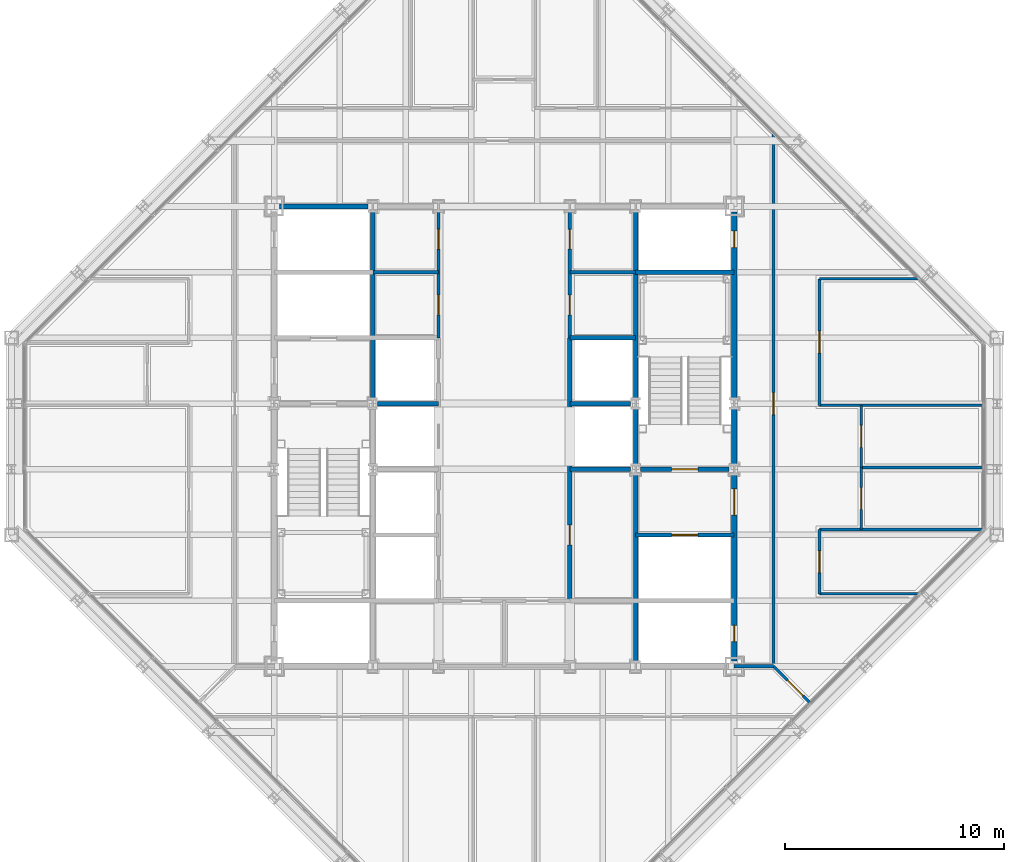
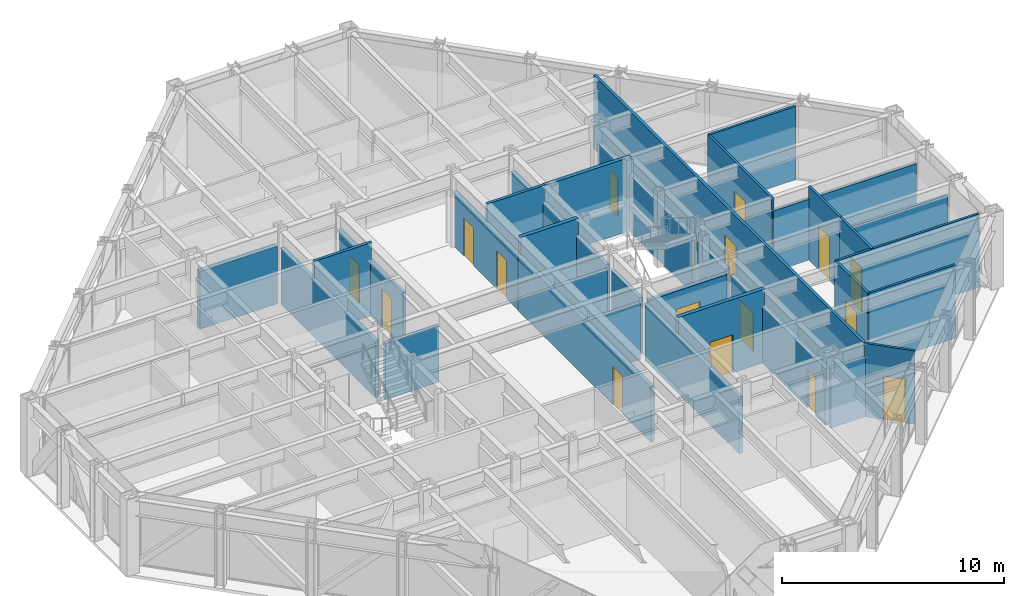
# One storey, part 11 of 15: 32 walls, 16 doors, 16 openings.
"""IFC4 building model written with IfcOpenShell, lengths in metres."""

from ifc_helpers import new_model, si_unit, direction, frame, frame_2d, origin, place, context, subcontext, project, spatial, rectangle, extrude, material, layer, layer_set, type_object, element, fill, save


model = new_model("IFC4")

# Units and contexts
model_context = context("Model", 3, precision=1e-05, world=origin(), true_north=direction((0.0, 1.0)))
body_context = subcontext(model_context, "Body", "Model", "MODEL_VIEW")
ifc_project = project(units=[si_unit("LENGTHUNIT", "METRE"), si_unit("AREAUNIT", "SQUARE_METRE"), si_unit("VOLUMEUNIT", "CUBIC_METRE"), si_unit("PLANEANGLEUNIT", "RADIAN"), si_unit("MASSUNIT", "GRAM", prefix="KILO")], contexts=[model_context])

# Site, building, storey
site_placement = place(None, origin())
site = spatial("IfcSite", under=ifc_project, at=site_placement, CompositionType="ELEMENT")
building_placement = place(site_placement, origin())
building = spatial("IfcBuilding", under=site, at=building_placement, Name="Chuquiago Exchange Tower", CompositionType="ELEMENT")
storey_placement = place(building_placement, frame((0.0, 0.0, 266.39990234375)))
storey = spatial("IfcBuildingStorey", under=building, at=storey_placement, Name="L59", CompositionType="ELEMENT", Elevation=266.39990234375)

# Wall
ifc_material_1 = material(Name="Concrete masonry, fully grouted", Category="masonry")
ifc_layer_1 = layer(ifc_material_1, 0.25)
ifc_layer_set_1 = layer_set([ifc_layer_1], Name="W1 core wall 250")
wall_type_1 = type_object("IfcWallType", Name="W1 core wall 250", PredefinedType="SOLIDWALL", material=ifc_layer_set_1)
wall_1_placement = place(storey_placement, frame((12.25, 33.0, 0.0), z_axis=(0.0, 0.0, 1.0), x_axis=(1.0, 0.0, 0.0)))
element("IfcWall", 1, at=wall_1_placement, inside=storey, type_object=wall_type_1, Name="CW-L59-11-0", PredefinedType="SOLIDWALL", context=body_context, shape_type="SweptSolid", body=[
    extrude(rectangle(XDim=4.025146484375, YDim=0.25, at=frame_2d((2.0126953125, 0.0))), origin(), (0.0, 0.0, 1.0), 3.181640625),
])

# Wall, openings, doors
wall_2_placement = place(storey_placement, frame((33.0, 12.25, 0.0), z_axis=(0.0, 0.0, 1.0), x_axis=(0.0, 1.0, 0.0)))
wall_2 = element("IfcWall", 2, at=wall_2_placement, inside=storey, type_object=wall_type_1, Name="CW-L59-25-0", PredefinedType="SOLIDWALL", context=body_context, shape_type="SweptSolid", body=[
    extrude(rectangle(XDim=8.5, YDim=0.25, at=frame_2d((4.25, 0.0))), origin(), (0.0, 0.0, 1.0), 3.113037109375),
])
opening_1_placement = place(wall_2_placement, frame((6.64990234375, 0.0, 0.0)))
opening_1 = element("IfcOpeningElement", 3, at=opening_1_placement, cuts=wall_2, Name="Opening L59-004", PredefinedType="OPENING", context=body_context, shape_type="SweptSolid", body=[
    extrude(rectangle(XDim=1.199951171875, YDim=2.10009765625, at=frame_2d((0.60009765625, 1.050048828125))), frame((0.0, 0.135009765625, 0.0), z_axis=(0.0, -1.0, 0.0), x_axis=(1.0, 0.0, 0.0)), (0.0, 0.0, 1.0), 0.27001953125),
])
opening_2_placement = place(wall_2_placement, frame((0.875, 0.0, 0.0)))
opening_2 = element("IfcOpeningElement", 4, at=opening_2_placement, cuts=wall_2, Name="Opening L59-009", PredefinedType="OPENING", context=body_context, shape_type="SweptSolid", body=[
    extrude(rectangle(XDim=0.75, YDim=2.10009765625, at=frame_2d((0.375, 1.050048828125))), frame((0.0, 0.135009765625, 0.0), z_axis=(0.0, -1.0, 0.0), x_axis=(1.0, 0.0, 0.0)), (0.0, 0.0, 1.0), 0.27001953125),
])
ifc_material_2 = material(Name="Steel door, painted", Category="steel")
door_type_1 = type_object("IfcDoorType", Name="D5 firefighting lobby door 1200x2100", OperationType="SINGLE_SWING_LEFT", PredefinedType="DOOR", material=ifc_material_2)
door_1_placement = place(opening_1_placement, origin())
door_1 = element("IfcDoor", 5, at=door_1_placement, inside=storey, type_object=door_type_1, Name="Firefighting lobby 2 door", OperationType="SINGLE_SWING_RIGHT", OverallHeight=2.10009765625, OverallWidth=1.199951171875, PredefinedType="DOOR", context=body_context, shape_type="SweptSolid", body=[
    extrude(rectangle(XDim=1.199951171875, YDim=2.10009765625, at=frame_2d((0.60009765625, 1.050048828125))), frame((0.0, 0.02490234375, 0.0), z_axis=(0.0, -1.0, 0.0), x_axis=(1.0, 0.0, 0.0)), (0.0, 0.0, 1.0), 0.050048828125),
])
fill(opening_1, door_1)
ifc_material_3 = material(Name="Steel door, painted", Category="steel")
door_type_2 = type_object("IfcDoorType", Name="D6 riser access door 750x2100", OperationType="SINGLE_SWING_LEFT", PredefinedType="DOOR", material=ifc_material_3)
door_2_placement = place(opening_2_placement, origin())
door_2 = element("IfcDoor", 6, at=door_2_placement, inside=storey, type_object=door_type_2, Name="Riser RE1 door", OperationType="SINGLE_SWING_LEFT", OverallHeight=2.10009765625, OverallWidth=0.75, PredefinedType="DOOR", context=body_context, shape_type="SweptSolid", body=[
    extrude(rectangle(XDim=0.75, YDim=2.10009765625, at=frame_2d((0.375, 1.050048828125))), frame((0.0, 0.02490234375, 0.0), z_axis=(0.0, -1.0, 0.0), x_axis=(1.0, 0.0, 0.0)), (0.0, 0.0, 1.0), 0.050048828125),
])
fill(opening_2, door_2)

# Wall
wall_3_placement = place(storey_placement, frame((33.0, 21.25, 0.0), z_axis=(0.0, 0.0, 1.0), x_axis=(0.0, 1.0, 0.0)))
element("IfcWall", 7, at=wall_3_placement, inside=storey, type_object=wall_type_1, Name="CW-L59-25-1", PredefinedType="SOLIDWALL", context=body_context, shape_type="SweptSolid", body=[
    extrude(rectangle(XDim=2.5, YDim=0.25, at=frame_2d((1.25, 0.0))), origin(), (0.0, 0.0, 1.0), 3.113037109375),
])

# Wall, opening, door
wall_4_placement = place(storey_placement, frame((33.0, 24.25, 0.0), z_axis=(0.0, 0.0, 1.0), x_axis=(0.0, 1.0, 0.0)))
wall_4 = element("IfcWall", 8, at=wall_4_placement, inside=storey, type_object=wall_type_1, Name="CW-L59-25-2", PredefinedType="SOLIDWALL", context=body_context, shape_type="SweptSolid", body=[
    extrude(rectangle(XDim=8.5, YDim=0.25, at=frame_2d((4.25, 0.0))), origin(), (0.0, 0.0, 1.0), 3.113037109375),
])
opening_3_placement = place(wall_4_placement, frame((6.875, 0.0, 0.0)))
opening_3 = element("IfcOpeningElement", 9, at=opening_3_placement, cuts=wall_4, Name="Opening L59-010", PredefinedType="OPENING", context=body_context, shape_type="SweptSolid", body=[
    extrude(rectangle(XDim=0.75, YDim=2.10009765625, at=frame_2d((0.375, 1.050048828125))), frame((0.0, 0.135009765625, 0.0), z_axis=(0.0, -1.0, 0.0), x_axis=(1.0, 0.0, 0.0)), (0.0, 0.0, 1.0), 0.27001953125),
])
door_3_placement = place(opening_3_placement, origin())
door_3 = element("IfcDoor", 10, at=door_3_placement, inside=storey, type_object=door_type_2, Name="Riser RE2 door", OperationType="SINGLE_SWING_RIGHT", OverallHeight=2.10009765625, OverallWidth=0.75, PredefinedType="DOOR", context=body_context, shape_type="SweptSolid", body=[
    extrude(rectangle(XDim=0.75, YDim=2.10009765625, at=frame_2d((0.375, 1.050048828125))), frame((0.0, 0.02490234375, 0.0), z_axis=(0.0, -1.0, 0.0), x_axis=(1.0, 0.0, 0.0)), (0.0, 0.0, 1.0), 0.050048828125),
])
fill(opening_3, door_3)

ifc_material_4 = material(Name="Gypsum board on steel studs, acoustic insulation", Category="steel")
ifc_layer_2 = layer(ifc_material_4, 0.14990234375)
ifc_layer_set_2 = layer_set([ifc_layer_2], Name="W11 corridor wall 150")
wall_type_2 = type_object("IfcWallType", Name="W11 corridor wall 150", PredefinedType="PARTITIONING", material=ifc_layer_set_2)
wall_5_placement = place(storey_placement, frame((34.800048828125, 12.0, 0.0), z_axis=(0.0, 0.0, 1.0), x_axis=(0.0, 1.0, 0.0)))
wall_5 = element("IfcWall", 11, at=wall_5_placement, inside=storey, type_object=wall_type_2, Name="PW-L59-GE0", PredefinedType="PARTITIONING", context=body_context, shape_type="SweptSolid", body=[
    extrude(rectangle(XDim=24.314453125, YDim=0.14990234375, at=frame_2d((12.1572265625, 0.0))), origin(), (0.0, 0.0, 1.0), 4.0400390625),
])
opening_4_placement = place(wall_5_placement, frame((11.5, 0.0, 0.0)))
opening_4 = element("IfcOpeningElement", 12, at=opening_4_placement, cuts=wall_5, Name="Opening L59-039", PredefinedType="OPENING", context=body_context, shape_type="SweptSolid", body=[
    extrude(rectangle(XDim=1.0, YDim=2.39990234375, at=frame_2d((0.5, 1.199951171875))), frame((0.0, 0.0849609375, 0.0), z_axis=(0.0, -1.0, 0.0), x_axis=(1.0, 0.0, 0.0)), (0.0, 0.0, 1.0), 0.169921875),
])
ifc_material_5 = material(Name="Timber door, laminate faced", Category="wood")
door_type_3 = type_object("IfcDoorType", Name="D9 room door 1000x2400", OperationType="SINGLE_SWING_LEFT", PredefinedType="DOOR", material=ifc_material_5)
door_4_placement = place(opening_4_placement, frame((1.0, 0.0, 0.0), z_axis=(0.0, 0.0, 1.0), x_axis=(-1.0, 0.0, 0.0)))
door_4 = element("IfcDoor", 13, at=door_4_placement, inside=storey, type_object=door_type_3, Name="Team area door", OperationType="SINGLE_SWING_RIGHT", OverallHeight=2.39990234375, OverallWidth=1.0, PredefinedType="DOOR", context=body_context, shape_type="SweptSolid", body=[
    extrude(rectangle(XDim=1.0, YDim=2.39990234375, at=frame_2d((0.5, 1.199951171875))), frame((0.0, 0.02490234375, 0.0), z_axis=(0.0, -1.0, 0.0), x_axis=(1.0, 0.0, 0.0)), (0.0, 0.0, 1.0), 0.050048828125),
])
fill(opening_4, door_4)

# Walls
wall_6_placement = place(storey_placement, frame((33.0, 12.0, 0.0), z_axis=(0.0, 0.0, 1.0), x_axis=(1.0, 0.0, 0.0)))
element("IfcWall", 14, at=wall_6_placement, inside=storey, type_object=wall_type_2, Name="PW-L59-GES0", PredefinedType="PARTITIONING", context=body_context, shape_type="SweptSolid", body=[
    extrude(rectangle(XDim=1.800048828125, YDim=0.14990234375, at=frame_2d((0.89990234375, 0.0))), origin(), (0.0, 0.0, 1.0), 3.2705078125),
])
ifc_material_6 = material(Name="Concrete masonry, fully grouted", Category="masonry")
ifc_layer_3 = layer(ifc_material_6, 0.199951171875)
ifc_layer_set_3 = layer_set([ifc_layer_3], Name="W2 shaft wall 200")
wall_type_3 = type_object("IfcWallType", Name="W2 shaft wall 200", PredefinedType="SOLIDWALL", material=ifc_layer_set_3)
for number, where, z_axis, x_axis, name in (
    (15, (16.724853515625, 24.0, 0.0), (0.0, 0.0, 1.0), (1.0, 0.0, 0.0), "CW-L59-05-1"),
    (16, (25.5, 24.0, 0.0), (0.0, 0.0, 1.0), (1.0, 0.0, 0.0), "CW-L59-06-0"),
):
    element("IfcWall", number, at=place(storey_placement, frame(where, z_axis=z_axis, x_axis=x_axis)), inside=storey, type_object=wall_type_3, Name=name, PredefinedType="SOLIDWALL", context=body_context, shape_type="SweptSolid", body=[
        extrude(rectangle(XDim=2.775146484375, YDim=0.199951171875, at=frame_2d((1.3876953125, 0.0))), origin(), (0.0, 0.0, 1.0), 3.090087890625),
    ])
wall_7_placement = place(storey_placement, frame((25.5, 27.0, 0.0), z_axis=(0.0, 0.0, 1.0), x_axis=(1.0, 0.0, 0.0)))
element("IfcWall", 17, at=wall_7_placement, inside=storey, type_object=wall_type_3, Name="CW-L59-08-0", PredefinedType="SOLIDWALL", context=body_context, shape_type="SweptSolid", body=[
    extrude(rectangle(XDim=3.0, YDim=0.199951171875, at=frame_2d((1.5, 0.0))), origin(), (0.0, 0.0, 1.0), 4.0400390625),
])
wall_8_placement = place(storey_placement, frame((28.5, 30.0, 0.0), z_axis=(0.0, 0.0, 1.0), x_axis=(1.0, 0.0, 0.0)))
element("IfcWall", 18, at=wall_8_placement, inside=storey, type_object=wall_type_3, Name="CW-L59-10-0", PredefinedType="SOLIDWALL", context=body_context, shape_type="SweptSolid", body=[
    extrude(rectangle(XDim=4.5, YDim=0.199951171875, at=frame_2d((2.25, 0.0))), origin(), (0.0, 0.0, 1.0), 4.0400390625),
])
wall_9_placement = place(storey_placement, frame((16.5, 24.25, 0.0), z_axis=(0.0, 0.0, 1.0), x_axis=(0.0, 1.0, 0.0)))
element("IfcWall", 19, at=wall_9_placement, inside=storey, type_object=wall_type_3, Name="CW-L59-13-2", PredefinedType="SOLIDWALL", context=body_context, shape_type="SweptSolid", body=[
    extrude(rectangle(XDim=8.5, YDim=0.199951171875, at=frame_2d((4.25, 0.0))), origin(), (0.0, 0.0, 1.0), 3.113037109375),
])

# Wall, opening, door
wall_10_placement = place(storey_placement, frame((28.5, 18.0, 0.0), z_axis=(0.0, 0.0, 1.0), x_axis=(1.0, 0.0, 0.0)))
wall_10 = element("IfcWall", 20, at=wall_10_placement, inside=storey, type_object=wall_type_3, Name="CW-L59-15-0", PredefinedType="SOLIDWALL", context=body_context, shape_type="SweptSolid", body=[
    extrude(rectangle(XDim=4.5, YDim=0.199951171875, at=frame_2d((2.25, 0.0))), origin(), (0.0, 0.0, 1.0), 4.0400390625),
])
opening_5_placement = place(wall_10_placement, frame((1.64990234375, 0.0, 0.0)))
opening_5 = element("IfcOpeningElement", 21, at=opening_5_placement, cuts=wall_10, Name="Opening L59-006", PredefinedType="OPENING", context=body_context, shape_type="SweptSolid", body=[
    extrude(rectangle(XDim=1.199951171875, YDim=2.10009765625, at=frame_2d((0.60009765625, 1.050048828125))), frame((0.0, 0.10986328125, 0.0), z_axis=(0.0, -1.0, 0.0), x_axis=(1.0, 0.0, 0.0)), (0.0, 0.0, 1.0), 0.219970703125),
])
ifc_material_7 = material(Name="Stainless steel lift landing door", Category="steel")
door_type_4 = type_object("IfcDoorType", Name="LD2 firefighting lift landing door 1200x2100", OperationType="DOUBLE_DOOR_SLIDING", PredefinedType="DOOR", material=ifc_material_7)
door_5_placement = place(opening_5_placement, origin())
door_5 = element("IfcDoor", 22, at=door_5_placement, inside=storey, type_object=door_type_4, Name="Firefighting lift FL2 landing door", OperationType="DOUBLE_DOOR_SLIDING", OverallHeight=2.10009765625, OverallWidth=1.199951171875, PredefinedType="DOOR", context=body_context, shape_type="SweptSolid", body=[
    extrude(rectangle(XDim=1.199951171875, YDim=2.10009765625, at=frame_2d((0.60009765625, 1.050048828125))), frame((0.0, 0.02490234375, 0.0), z_axis=(0.0, -1.0, 0.0), x_axis=(1.0, 0.0, 0.0)), (0.0, 0.0, 1.0), 0.050048828125),
])
fill(opening_5, door_5)

# Wall
wall_11_placement = place(storey_placement, frame((25.5, 21.0, 0.0), z_axis=(0.0, 0.0, 1.0), x_axis=(1.0, 0.0, 0.0)))
element("IfcWall", 23, at=wall_11_placement, inside=storey, type_object=wall_type_3, Name="CW-L59-17-0", PredefinedType="SOLIDWALL", context=body_context, shape_type="SweptSolid", body=[
    extrude(rectangle(XDim=2.775146484375, YDim=0.199951171875, at=frame_2d((1.3876953125, 0.0))), origin(), (0.0, 0.0, 1.0), 3.090087890625),
])

# Wall, opening, door
wall_12_placement = place(storey_placement, frame((28.724853515625, 21.0, 0.0), z_axis=(0.0, 0.0, 1.0), x_axis=(1.0, 0.0, 0.0)))
wall_12 = element("IfcWall", 24, at=wall_12_placement, inside=storey, type_object=wall_type_3, Name="CW-L59-17-1", PredefinedType="SOLIDWALL", context=body_context, shape_type="SweptSolid", body=[
    extrude(rectangle(XDim=4.05029296875, YDim=0.199951171875, at=frame_2d((2.025146484375, 0.0))), origin(), (0.0, 0.0, 1.0), 3.090087890625),
])
opening_6_placement = place(wall_12_placement, frame((1.42529296875, 0.0, 0.0)))
opening_6 = element("IfcOpeningElement", 25, at=opening_6_placement, cuts=wall_12, Name="Opening L59-003", PredefinedType="OPENING", context=body_context, shape_type="SweptSolid", body=[
    extrude(rectangle(XDim=1.199951171875, YDim=2.10009765625, at=frame_2d((0.60009765625, 1.050048828125))), frame((0.0, 0.10986328125, 0.0), z_axis=(0.0, -1.0, 0.0), x_axis=(1.0, 0.0, 0.0)), (0.0, 0.0, 1.0), 0.219970703125),
])
ifc_material_8 = material(Name="Steel door, painted", Category="steel")
door_type_5 = type_object("IfcDoorType", Name="D4 stair door 1200x2100", OperationType="SINGLE_SWING_LEFT", PredefinedType="DOOR", material=ifc_material_8)
door_6_placement = place(opening_6_placement, origin())
door_6 = element("IfcDoor", 26, at=door_6_placement, inside=storey, type_object=door_type_5, Name="Stair ST2 door", OperationType="SINGLE_SWING_RIGHT", OverallHeight=2.10009765625, OverallWidth=1.199951171875, PredefinedType="DOOR", context=body_context, shape_type="SweptSolid", body=[
    extrude(rectangle(XDim=1.199951171875, YDim=2.10009765625, at=frame_2d((0.60009765625, 1.050048828125))), frame((0.0, 0.02490234375, 0.0), z_axis=(0.0, -1.0, 0.0), x_axis=(1.0, 0.0, 0.0)), (0.0, 0.0, 1.0), 0.050048828125),
])
fill(opening_6, door_6)

wall_13_placement = place(storey_placement, frame((25.5, 15.0, 0.0), z_axis=(0.0, 0.0, 1.0), x_axis=(0.0, 1.0, 0.0)))
wall_13 = element("IfcWall", 27, at=wall_13_placement, inside=storey, type_object=wall_type_3, Name="CW-L59-22-0", PredefinedType="SOLIDWALL", context=body_context, shape_type="SweptSolid", body=[
    extrude(rectangle(XDim=12.0, YDim=0.199951171875, at=frame_2d((6.0, 0.0))), origin(), (0.0, 0.0, 1.0), 3.064697265625),
])
opening_7_placement = place(wall_13_placement, frame((2.550048828125, 0.0, 0.0)))
opening_7 = element("IfcOpeningElement", 28, at=opening_7_placement, cuts=wall_13, Name="Opening L59-016", PredefinedType="OPENING", context=body_context, shape_type="SweptSolid", body=[
    extrude(rectangle(XDim=0.89990234375, YDim=2.10009765625, at=frame_2d((0.449951171875, 1.050048828125))), frame((0.0, 0.10986328125, 0.0), z_axis=(0.0, -1.0, 0.0), x_axis=(1.0, 0.0, 0.0)), (0.0, 0.0, 1.0), 0.219970703125),
])
ifc_material_9 = material(Name="Timber door, laminate faced", Category="wood")
door_type_6 = type_object("IfcDoorType", Name="D16 core room door 900x2100", OperationType="SINGLE_SWING_LEFT", PredefinedType="DOOR", material=ifc_material_9)
door_7_placement = place(opening_7_placement, frame((0.89990234375, 0.0, 0.0), z_axis=(0.0, 0.0, 1.0), x_axis=(-1.0, 0.0, 0.0)))
door_7 = element("IfcDoor", 29, at=door_7_placement, inside=storey, type_object=door_type_6, Name="Archive store door", OperationType="SINGLE_SWING_RIGHT", OverallHeight=2.10009765625, OverallWidth=0.89990234375, PredefinedType="DOOR", context=body_context, shape_type="SweptSolid", body=[
    extrude(rectangle(XDim=0.89990234375, YDim=2.10009765625, at=frame_2d((0.449951171875, 1.050048828125))), frame((0.0, 0.02490234375, 0.0), z_axis=(0.0, -1.0, 0.0), x_axis=(1.0, 0.0, 0.0)), (0.0, 0.0, 1.0), 0.050048828125),
])
fill(opening_7, door_7)

# Walls
wall_14_placement = place(storey_placement, frame((28.5, 12.25, 0.0), z_axis=(0.0, 0.0, 1.0), x_axis=(0.0, 1.0, 0.0)))
element("IfcWall", 30, at=wall_14_placement, inside=storey, type_object=wall_type_3, Name="CW-L59-24-0", PredefinedType="SOLIDWALL", context=body_context, shape_type="SweptSolid", body=[
    extrude(rectangle(XDim=8.5, YDim=0.199951171875, at=frame_2d((4.25, 0.0))), origin(), (0.0, 0.0, 1.0), 3.113037109375),
])
wall_15_placement = place(storey_placement, frame((28.5, 21.25, 0.0), z_axis=(0.0, 0.0, 1.0), x_axis=(0.0, 1.0, 0.0)))
element("IfcWall", 31, at=wall_15_placement, inside=storey, type_object=wall_type_3, Name="CW-L59-24-1", PredefinedType="SOLIDWALL", context=body_context, shape_type="SweptSolid", body=[
    extrude(rectangle(XDim=2.5, YDim=0.199951171875, at=frame_2d((1.25, 0.0))), origin(), (0.0, 0.0, 1.0), 3.113037109375),
])
wall_16_placement = place(storey_placement, frame((28.5, 24.25, 0.0), z_axis=(0.0, 0.0, 1.0), x_axis=(0.0, 1.0, 0.0)))
element("IfcWall", 32, at=wall_16_placement, inside=storey, type_object=wall_type_3, Name="CW-L59-24-2", PredefinedType="SOLIDWALL", context=body_context, shape_type="SweptSolid", body=[
    extrude(rectangle(XDim=8.5, YDim=0.199951171875, at=frame_2d((4.25, 0.0))), origin(), (0.0, 0.0, 1.0), 3.113037109375),
])

# Wall, openings, doors
ifc_material_10 = material(Name="Gypsum board on steel studs", Category="steel")
ifc_layer_4 = layer(ifc_material_10, 0.14990234375)
ifc_layer_set_4 = layer_set([ifc_layer_4], Name="W3 core partition 150")
wall_type_4 = type_object("IfcWallType", Name="W3 core partition 150", PredefinedType="PARTITIONING", material=ifc_layer_set_4)
wall_17_placement = place(storey_placement, frame((19.5, 27.0, 0.0), z_axis=(0.0, 0.0, 1.0), x_axis=(0.0, 1.0, 0.0)))
wall_17 = element("IfcWall", 33, at=wall_17_placement, inside=storey, type_object=wall_type_4, Name="CW-L59-20-0", PredefinedType="PARTITIONING", context=body_context, shape_type="SweptSolid", body=[
    extrude(rectangle(XDim=5.75, YDim=0.14990234375, at=frame_2d((2.875, 0.0))), origin(), (0.0, 0.0, 1.0), 3.064697265625),
])
opening_8_placement = place(wall_17_placement, frame((1.050048828125, 0.0, 0.0)))
opening_8 = element("IfcOpeningElement", 34, at=opening_8_placement, cuts=wall_17, Name="Opening L59-011", PredefinedType="OPENING", context=body_context, shape_type="SweptSolid", body=[
    extrude(rectangle(XDim=0.89990234375, YDim=2.10009765625, at=frame_2d((0.449951171875, 1.050048828125))), frame((0.0, 0.0849609375, 0.0), z_axis=(0.0, -1.0, 0.0), x_axis=(1.0, 0.0, 0.0)), (0.0, 0.0, 1.0), 0.169921875),
])
opening_9_placement = place(wall_17_placement, frame((4.050048828125, 0.0, 0.0)))
opening_9 = element("IfcOpeningElement", 35, at=opening_9_placement, cuts=wall_17, Name="Opening L59-012", PredefinedType="OPENING", context=body_context, shape_type="SweptSolid", body=[
    extrude(rectangle(XDim=0.89990234375, YDim=2.10009765625, at=frame_2d((0.449951171875, 1.050048828125))), frame((0.0, 0.0849609375, 0.0), z_axis=(0.0, -1.0, 0.0), x_axis=(1.0, 0.0, 0.0)), (0.0, 0.0, 1.0), 0.169921875),
])
door_8_placement = place(opening_9_placement, origin())
door_8 = element("IfcDoor", 36, at=door_8_placement, inside=storey, type_object=door_type_6, Name="Staff shower room door", OperationType="SINGLE_SWING_RIGHT", OverallHeight=2.10009765625, OverallWidth=0.89990234375, PredefinedType="DOOR", context=body_context, shape_type="SweptSolid", body=[
    extrude(rectangle(XDim=0.89990234375, YDim=2.10009765625, at=frame_2d((0.449951171875, 1.050048828125))), frame((0.0, 0.02490234375, 0.0), z_axis=(0.0, -1.0, 0.0), x_axis=(1.0, 0.0, 0.0)), (0.0, 0.0, 1.0), 0.050048828125),
])
fill(opening_9, door_8)
ifc_material_11 = material(Name="Timber door, laminate faced", Category="wood")
door_type_7 = type_object("IfcDoorType", Name="D7 toilet door 900x2100", OperationType="SINGLE_SWING_LEFT", PredefinedType="DOOR", material=ifc_material_11)
door_9_placement = place(opening_8_placement, origin())
door_9 = element("IfcDoor", 37, at=door_9_placement, inside=storey, type_object=door_type_7, Name="Male WC door", OperationType="SINGLE_SWING_LEFT", OverallHeight=2.10009765625, OverallWidth=0.89990234375, PredefinedType="DOOR", context=body_context, shape_type="SweptSolid", body=[
    extrude(rectangle(XDim=0.89990234375, YDim=2.10009765625, at=frame_2d((0.449951171875, 1.050048828125))), frame((0.0, 0.02490234375, 0.0), z_axis=(0.0, -1.0, 0.0), x_axis=(1.0, 0.0, 0.0)), (0.0, 0.0, 1.0), 0.050048828125),
])
fill(opening_8, door_9)

wall_18_placement = place(storey_placement, frame((25.5, 27.0, 0.0), z_axis=(0.0, 0.0, 1.0), x_axis=(0.0, 1.0, 0.0)))
wall_18 = element("IfcWall", 38, at=wall_18_placement, inside=storey, type_object=wall_type_4, Name="CW-L59-23-0", PredefinedType="PARTITIONING", context=body_context, shape_type="SweptSolid", body=[
    extrude(rectangle(XDim=5.75, YDim=0.14990234375, at=frame_2d((2.875, 0.0))), origin(), (0.0, 0.0, 1.0), 3.064697265625),
])
opening_10_placement = place(wall_18_placement, frame((1.050048828125, 0.0, 0.0)))
opening_10 = element("IfcOpeningElement", 39, at=opening_10_placement, cuts=wall_18, Name="Opening L59-013", PredefinedType="OPENING", context=body_context, shape_type="SweptSolid", body=[
    extrude(rectangle(XDim=0.89990234375, YDim=2.10009765625, at=frame_2d((0.449951171875, 1.050048828125))), frame((0.0, 0.0849609375, 0.0), z_axis=(0.0, -1.0, 0.0), x_axis=(1.0, 0.0, 0.0)), (0.0, 0.0, 1.0), 0.169921875),
])
opening_11_placement = place(wall_18_placement, frame((4.050048828125, 0.0, 0.0)))
opening_11 = element("IfcOpeningElement", 40, at=opening_11_placement, cuts=wall_18, Name="Opening L59-014", PredefinedType="OPENING", context=body_context, shape_type="SweptSolid", body=[
    extrude(rectangle(XDim=0.89990234375, YDim=2.10009765625, at=frame_2d((0.449951171875, 1.050048828125))), frame((0.0, 0.0849609375, 0.0), z_axis=(0.0, -1.0, 0.0), x_axis=(1.0, 0.0, 0.0)), (0.0, 0.0, 1.0), 0.169921875),
])
door_10_placement = place(opening_11_placement, frame((0.89990234375, 0.0, 0.0), z_axis=(0.0, 0.0, 1.0), x_axis=(-1.0, 0.0, 0.0)))
door_10 = element("IfcDoor", 41, at=door_10_placement, inside=storey, type_object=door_type_6, Name="Baby change room door", OperationType="SINGLE_SWING_LEFT", OverallHeight=2.10009765625, OverallWidth=0.89990234375, PredefinedType="DOOR", context=body_context, shape_type="SweptSolid", body=[
    extrude(rectangle(XDim=0.89990234375, YDim=2.10009765625, at=frame_2d((0.449951171875, 1.050048828125))), frame((0.0, 0.02490234375, 0.0), z_axis=(0.0, -1.0, 0.0), x_axis=(1.0, 0.0, 0.0)), (0.0, 0.0, 1.0), 0.050048828125),
])
fill(opening_11, door_10)
door_11_placement = place(opening_10_placement, frame((0.89990234375, 0.0, 0.0), z_axis=(0.0, 0.0, 1.0), x_axis=(-1.0, 0.0, 0.0)))
door_11 = element("IfcDoor", 42, at=door_11_placement, inside=storey, type_object=door_type_7, Name="Female WC door", OperationType="SINGLE_SWING_RIGHT", OverallHeight=2.10009765625, OverallWidth=0.89990234375, PredefinedType="DOOR", context=body_context, shape_type="SweptSolid", body=[
    extrude(rectangle(XDim=0.89990234375, YDim=2.10009765625, at=frame_2d((0.449951171875, 1.050048828125))), frame((0.0, 0.02490234375, 0.0), z_axis=(0.0, -1.0, 0.0), x_axis=(1.0, 0.0, 0.0)), (0.0, 0.0, 1.0), 0.050048828125),
])
fill(opening_10, door_11)

# Walls
for number, where, z_axis, x_axis, name in (
    (43, (16.5, 30.0, 0.0), (0.0, 0.0, 1.0), (1.0, 0.0, 0.0), "CW-L59-WCMS"),
    (44, (25.5, 30.0, 0.0), (0.0, 0.0, 1.0), (1.0, 0.0, 0.0), "CW-L59-WCFS"),
):
    element("IfcWall", number, at=place(storey_placement, frame(where, z_axis=z_axis, x_axis=x_axis)), inside=storey, type_object=wall_type_4, Name=name, PredefinedType="PARTITIONING", context=body_context, shape_type="SweptSolid", body=[
        extrude(rectangle(XDim=3.0, YDim=0.14990234375, at=frame_2d((1.5, 0.0))), origin(), (0.0, 0.0, 1.0), 4.0400390625),
    ])
ifc_material_12 = material(Name="Gypsum board on steel studs", Category="steel")
ifc_layer_5 = layer(ifc_material_12, 0.1201171875)
ifc_layer_set_5 = layer_set([ifc_layer_5], Name="W4 partition 120")
wall_type_5 = type_object("IfcWallType", Name="W4 partition 120", PredefinedType="PARTITIONING", material=ifc_layer_set_5)
wall_19_placement = place(storey_placement, frame((41.392578125, 15.30712890625, 0.0), z_axis=(0.0, 0.0, 1.0), x_axis=(-1.0, 0.0, 0.0)))
element("IfcWall", 45, at=wall_19_placement, inside=storey, type_object=wall_type_5, Name="PW-L59-E01531", PredefinedType="PARTITIONING", context=body_context, shape_type="SweptSolid", body=[
    extrude(rectangle(XDim=4.49267578125, YDim=0.1201171875, at=frame_2d((2.246337890625, 0.0))), origin(), (0.0, 0.0, 1.0), 4.0400390625),
])
wall_20_placement = place(storey_placement, frame((44.333984375, 18.24853515625, 0.0), z_axis=(0.0, 0.0, 1.0), x_axis=(-1.0, 0.0, 0.0)))
element("IfcWall", 46, at=wall_20_placement, inside=storey, type_object=wall_type_5, Name="PW-L59-E01825", PredefinedType="PARTITIONING", context=body_context, shape_type="SweptSolid", body=[
    extrude(rectangle(XDim=7.43408203125, YDim=0.1201171875, at=frame_2d((3.717041015625, 0.0))), origin(), (0.0, 0.0, 1.0), 4.0400390625),
])
wall_21_placement = place(storey_placement, frame((44.347412109375, 21.082763671875, 0.0), z_axis=(0.0, 0.0, 1.0), x_axis=(-1.0, 0.0, 0.0)))
element("IfcWall", 47, at=wall_21_placement, inside=storey, type_object=wall_type_5, Name="PW-L59-E02108", PredefinedType="PARTITIONING", context=body_context, shape_type="SweptSolid", body=[
    extrude(rectangle(XDim=5.54736328125, YDim=0.1201171875, at=frame_2d((2.773681640625, 0.0))), origin(), (0.0, 0.0, 1.0), 3.35693359375),
])
wall_22_placement = place(storey_placement, frame((44.347412109375, 23.917236328125, 0.0), z_axis=(0.0, 0.0, 1.0), x_axis=(-1.0, 0.0, 0.0)))
element("IfcWall", 48, at=wall_22_placement, inside=storey, type_object=wall_type_5, Name="PW-L59-E02392", PredefinedType="PARTITIONING", context=body_context, shape_type="SweptSolid", body=[
    extrude(rectangle(XDim=7.447509765625, YDim=0.1201171875, at=frame_2d((3.7236328125, 0.0))), origin(), (0.0, 0.0, 1.0), 3.35693359375),
])
wall_23_placement = place(storey_placement, frame((41.392578125, 29.69287109375, 0.0), z_axis=(0.0, 0.0, 1.0), x_axis=(-1.0, 0.0, 0.0)))
element("IfcWall", 49, at=wall_23_placement, inside=storey, type_object=wall_type_5, Name="PW-L59-E02969", PredefinedType="PARTITIONING", context=body_context, shape_type="SweptSolid", body=[
    extrude(rectangle(XDim=4.49267578125, YDim=0.1201171875, at=frame_2d((2.246337890625, 0.0))), origin(), (0.0, 0.0, 1.0), 4.0400390625),
])

# Wall, opening, door
wall_24_placement = place(storey_placement, frame((36.89990234375, 15.30712890625, 0.0), z_axis=(0.0, 0.0, 1.0), x_axis=(0.0, 1.0, 0.0)))
wall_24 = element("IfcWall", 50, at=wall_24_placement, inside=storey, type_object=wall_type_5, Name="PW-L59-EF01531", PredefinedType="PARTITIONING", context=body_context, shape_type="SweptSolid", body=[
    extrude(rectangle(XDim=2.94140625, YDim=0.1201171875, at=frame_2d((1.470703125, 0.0))), origin(), (0.0, 0.0, 1.0), 4.0400390625),
])
opening_12_placement = place(wall_24_placement, frame((0.970703125, 0.0, 0.0)))
opening_12 = element("IfcOpeningElement", 51, at=opening_12_placement, cuts=wall_24, Name="Opening L59-025", PredefinedType="OPENING", context=body_context, shape_type="SweptSolid", body=[
    extrude(rectangle(XDim=1.0, YDim=2.39990234375, at=frame_2d((0.5, 1.199951171875))), frame((0.0, 0.070068359375, 0.0), z_axis=(0.0, -1.0, 0.0), x_axis=(1.0, 0.0, 0.0)), (0.0, 0.0, 1.0), 0.14013671875),
])
door_12_placement = place(opening_12_placement, frame((1.0, 0.0, 0.0), z_axis=(0.0, 0.0, 1.0), x_axis=(-1.0, 0.0, 0.0)))
door_12 = element("IfcDoor", 52, at=door_12_placement, inside=storey, type_object=door_type_3, Name="Office door", OperationType="SINGLE_SWING_LEFT", OverallHeight=2.39990234375, OverallWidth=1.0, PredefinedType="DOOR", context=body_context, shape_type="SweptSolid", body=[
    extrude(rectangle(XDim=1.0, YDim=2.39990234375, at=frame_2d((0.5, 1.199951171875))), frame((0.0, 0.02490234375, 0.0), z_axis=(0.0, -1.0, 0.0), x_axis=(1.0, 0.0, 0.0)), (0.0, 0.0, 1.0), 0.050048828125),
])
fill(opening_12, door_12)

wall_25_placement = place(storey_placement, frame((38.800048828125, 18.24853515625, 0.0), z_axis=(0.0, 0.0, 1.0), x_axis=(0.0, 1.0, 0.0)))
wall_25 = element("IfcWall", 53, at=wall_25_placement, inside=storey, type_object=wall_type_5, Name="PW-L59-EF01825", PredefinedType="PARTITIONING", context=body_context, shape_type="SweptSolid", body=[
    extrude(rectangle(XDim=2.834228515625, YDim=0.1201171875, at=frame_2d((1.4169921875, 0.0))), origin(), (0.0, 0.0, 1.0), 4.0400390625),
])
opening_13_placement = place(wall_25_placement, frame((0.9169921875, 0.0, 0.0)))
opening_13 = element("IfcOpeningElement", 54, at=opening_13_placement, cuts=wall_25, Name="Opening L59-026", PredefinedType="OPENING", context=body_context, shape_type="SweptSolid", body=[
    extrude(rectangle(XDim=1.0, YDim=2.39990234375, at=frame_2d((0.5, 1.199951171875))), frame((0.0, 0.070068359375, 0.0), z_axis=(0.0, -1.0, 0.0), x_axis=(1.0, 0.0, 0.0)), (0.0, 0.0, 1.0), 0.14013671875),
])
door_13_placement = place(opening_13_placement, frame((1.0, 0.0, 0.0), z_axis=(0.0, 0.0, 1.0), x_axis=(-1.0, 0.0, 0.0)))
door_13 = element("IfcDoor", 55, at=door_13_placement, inside=storey, type_object=door_type_3, Name="Pantry door", OperationType="SINGLE_SWING_RIGHT", OverallHeight=2.39990234375, OverallWidth=1.0, PredefinedType="DOOR", context=body_context, shape_type="SweptSolid", body=[
    extrude(rectangle(XDim=1.0, YDim=2.39990234375, at=frame_2d((0.5, 1.199951171875))), frame((0.0, 0.02490234375, 0.0), z_axis=(0.0, -1.0, 0.0), x_axis=(1.0, 0.0, 0.0)), (0.0, 0.0, 1.0), 0.050048828125),
])
fill(opening_13, door_13)

wall_26_placement = place(storey_placement, frame((38.800048828125, 21.082763671875, 0.0), z_axis=(0.0, 0.0, 1.0), x_axis=(0.0, 1.0, 0.0)))
wall_26 = element("IfcWall", 56, at=wall_26_placement, inside=storey, type_object=wall_type_5, Name="PW-L59-EF02108", PredefinedType="PARTITIONING", context=body_context, shape_type="SweptSolid", body=[
    extrude(rectangle(XDim=2.83447265625, YDim=0.1201171875, at=frame_2d((1.417236328125, 0.0))), origin(), (0.0, 0.0, 1.0), 4.0400390625),
])
opening_14_placement = place(wall_26_placement, frame((0.917236328125, 0.0, 0.0)))
opening_14 = element("IfcOpeningElement", 57, at=opening_14_placement, cuts=wall_26, Name="Opening L59-027", PredefinedType="OPENING", context=body_context, shape_type="SweptSolid", body=[
    extrude(rectangle(XDim=1.0, YDim=2.39990234375, at=frame_2d((0.5, 1.199951171875))), frame((0.0, 0.070068359375, 0.0), z_axis=(0.0, -1.0, 0.0), x_axis=(1.0, 0.0, 0.0)), (0.0, 0.0, 1.0), 0.14013671875),
])
ifc_material_13 = material(Name="Timber frame door, full height glazed panel", Category="wood")
door_type_8 = type_object("IfcDoorType", Name="D14 glazed meeting room door 1000x2400", OperationType="SINGLE_SWING_LEFT", PredefinedType="DOOR", material=ifc_material_13)
door_14_placement = place(opening_14_placement, frame((1.0, 0.0, 0.0), z_axis=(0.0, 0.0, 1.0), x_axis=(-1.0, 0.0, 0.0)))
door_14 = element("IfcDoor", 58, at=door_14_placement, inside=storey, type_object=door_type_8, Name="Focus room door", OperationType="SINGLE_SWING_RIGHT", OverallHeight=2.39990234375, OverallWidth=1.0, PredefinedType="DOOR", context=body_context, shape_type="SweptSolid", body=[
    extrude(rectangle(XDim=1.0, YDim=2.39990234375, at=frame_2d((0.5, 1.199951171875))), frame((0.0, 0.02490234375, 0.0), z_axis=(0.0, -1.0, 0.0), x_axis=(1.0, 0.0, 0.0)), (0.0, 0.0, 1.0), 0.050048828125),
])
fill(opening_14, door_14)

wall_27_placement = place(storey_placement, frame((36.89990234375, 23.917236328125, 0.0), z_axis=(0.0, 0.0, 1.0), x_axis=(0.0, 1.0, 0.0)))
wall_27 = element("IfcWall", 59, at=wall_27_placement, inside=storey, type_object=wall_type_5, Name="PW-L59-EF02392", PredefinedType="PARTITIONING", context=body_context, shape_type="SweptSolid", body=[
    extrude(rectangle(XDim=5.775634765625, YDim=0.1201171875, at=frame_2d((2.8876953125, 0.0))), origin(), (0.0, 0.0, 1.0), 4.0400390625),
])
opening_15_placement = place(wall_27_placement, frame((2.387939453125, 0.0, 0.0)))
opening_15 = element("IfcOpeningElement", 60, at=opening_15_placement, cuts=wall_27, Name="Opening L59-028", PredefinedType="OPENING", context=body_context, shape_type="SweptSolid", body=[
    extrude(rectangle(XDim=1.0, YDim=2.39990234375, at=frame_2d((0.5, 1.199951171875))), frame((0.0, 0.070068359375, 0.0), z_axis=(0.0, -1.0, 0.0), x_axis=(1.0, 0.0, 0.0)), (0.0, 0.0, 1.0), 0.14013671875),
])
door_15_placement = place(opening_15_placement, frame((1.0, 0.0, 0.0), z_axis=(0.0, 0.0, 1.0), x_axis=(-1.0, 0.0, 0.0)))
door_15 = element("IfcDoor", 61, at=door_15_placement, inside=storey, type_object=door_type_3, Name="Office door", OperationType="SINGLE_SWING_LEFT", OverallHeight=2.39990234375, OverallWidth=1.0, PredefinedType="DOOR", context=body_context, shape_type="SweptSolid", body=[
    extrude(rectangle(XDim=1.0, YDim=2.39990234375, at=frame_2d((0.5, 1.199951171875))), frame((0.0, 0.02490234375, 0.0), z_axis=(0.0, -1.0, 0.0), x_axis=(1.0, 0.0, 0.0)), (0.0, 0.0, 1.0), 0.050048828125),
])
fill(opening_15, door_15)

wall_28_placement = place(storey_placement, frame((34.800048828125, 12.0, 0.0), z_axis=(0.0, 0.0, 1.0), x_axis=(0.707106781187, -0.707106781187, 0.0)))
wall_28 = element("IfcWall", 62, at=wall_28_placement, inside=storey, type_object=wall_type_5, Name="PW-L59-QSE", PredefinedType="PARTITIONING", context=body_context, shape_type="SweptSolid", body=[
    extrude(rectangle(XDim=2.337890625, YDim=0.1201171875, at=frame_2d((1.1689453125, 0.0))), origin(), (0.0, 0.0, 1.0), 4.0400390625),
])
opening_16_placement = place(wall_28_placement, frame((0.89990234375, 0.0, 0.0)))
opening_16 = element("IfcOpeningElement", 63, at=opening_16_placement, cuts=wall_28, Name="Opening L59-041", PredefinedType="OPENING", context=body_context, shape_type="SweptSolid", body=[
    extrude(rectangle(XDim=1.0, YDim=2.39990234375, at=frame_2d((0.5, 1.199951171875))), frame((0.0, 0.070068359375, 0.0), z_axis=(0.0, -1.0, 0.0), x_axis=(1.0, 0.0, 0.0)), (0.0, 0.0, 1.0), 0.14013671875),
])
door_16_placement = place(opening_16_placement, frame((1.0, 0.0, 0.0), z_axis=(0.0, 0.0, 1.0), x_axis=(-1.0, 0.0, 0.0)))
door_16 = element("IfcDoor", 64, at=door_16_placement, inside=storey, type_object=door_type_3, Name="Team area door", OperationType="SINGLE_SWING_LEFT", OverallHeight=2.39990234375, OverallWidth=1.0, PredefinedType="DOOR", context=body_context, shape_type="SweptSolid", body=[
    extrude(rectangle(XDim=1.0, YDim=2.39990234375, at=frame_2d((0.5, 1.199951171875))), frame((0.0, 0.02490234375, 0.0), z_axis=(0.0, -1.0, 0.0), x_axis=(1.0, 0.0, 0.0)), (0.0, 0.0, 1.0), 0.050048828125),
])
fill(opening_16, door_16)

save(model, "model.ifc")
